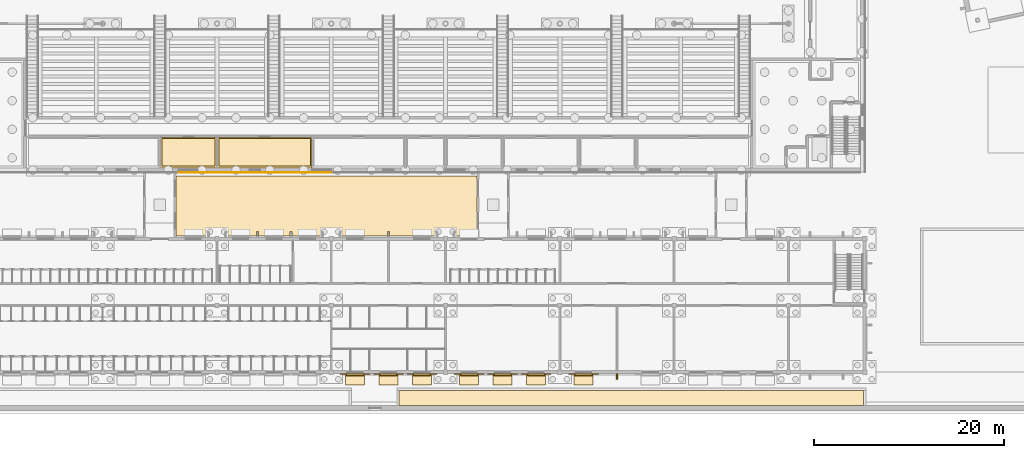
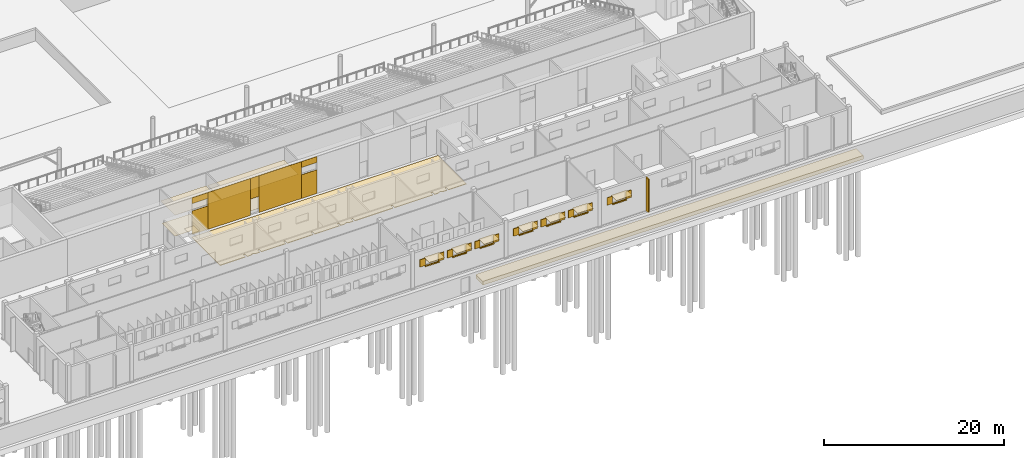
# One storey, part 130 of 157: 27 coverings, 15 shading devices.
"""IFC4 building model written with IfcOpenShell, lengths in metres."""

from ifc_helpers import new_model, si_unit, direction, frame, origin, place, context, subcontext, project, spatial, polyline, outline, extrude, material, layer, layer_set, type_object, element, save


model = new_model("IFC4")

# Units and contexts
model_context = context("Model", 3, precision=1e-05, world=origin(), true_north=direction((0.0, 1.0)))
body_context = subcontext(model_context, "Body", "Model", "MODEL_VIEW")
ifc_project = project(units=[si_unit("LENGTHUNIT", "METRE"), si_unit("AREAUNIT", "SQUARE_METRE"), si_unit("VOLUMEUNIT", "CUBIC_METRE"), si_unit("PLANEANGLEUNIT", "RADIAN"), si_unit("MASSUNIT", "GRAM", prefix="KILO")], contexts=[model_context])

# Site, building, storey
site_placement = place(None, origin())
site = spatial("IfcSite", under=ifc_project, at=site_placement, CompositionType="ELEMENT")
building_placement = place(site_placement, origin())
building = spatial("IfcBuilding", under=site, at=building_placement, Name="Windward Yard Aquatics Centre", CompositionType="ELEMENT")
storey_placement = place(building_placement, origin())
storey = spatial("IfcBuildingStorey", under=building, at=storey_placement, Name="L00", CompositionType="ELEMENT", Elevation=0.0)

# Shading devices
ifc_material_1 = material(Name="Aluminium louvre blades, powder coated", Category="aluminium")
ifc_layer_1 = layer(ifc_material_1, 0.080078125)
ifc_layer_set_1 = layer_set([ifc_layer_1], Name="C storm shutter louvred 700x1000")
shading_device_type_1 = type_object("IfcShadingDeviceType", Name="C storm shutter louvred 700x1000", PredefinedType="SHUTTER", material=ifc_layer_set_1)
shading_device_1_placement = place(storey_placement, frame((0.0, 0.0, 2.5)))
element("IfcShadingDevice", 1, at=shading_device_1_placement, inside=storey, type_object=shading_device_type_1, Name="Storm shutter CW0010L", PredefinedType="SHUTTER", context=body_context, shape_type="SweptSolid", body=[
    extrude(outline(polyline([(96.933349609375, 4.77001953125), (96.933349609375, 4.85009765625), (97.63330078125, 4.85009765625), (97.63330078125, 4.77001953125), (96.933349609375, 4.77001953125)])), origin(), (0.0, 0.0, 1.0), 1.0),
])
shading_device_2_placement = place(storey_placement, frame((0.0, 0.0, 2.5)))
element("IfcShadingDevice", 2, at=shading_device_2_placement, inside=storey, type_object=shading_device_type_1, Name="Storm shutter CW0010R", PredefinedType="SHUTTER", context=body_context, shape_type="SweptSolid", body=[
    extrude(outline(polyline([(99.333251953125, 4.77001953125), (99.333251953125, 4.85009765625), (100.033203125, 4.85009765625), (100.033203125, 4.77001953125), (99.333251953125, 4.77001953125)])), origin(), (0.0, 0.0, 1.0), 1.0),
])
shading_device_3_placement = place(storey_placement, frame((0.0, 0.0, 2.5)))
element("IfcShadingDevice", 3, at=shading_device_3_placement, inside=storey, type_object=shading_device_type_1, Name="Storm shutter CW0011L", PredefinedType="SHUTTER", context=body_context, shape_type="SweptSolid", body=[
    extrude(outline(polyline([(100.449951171875, 4.77001953125), (100.449951171875, 4.85009765625), (101.14990234375, 4.85009765625), (101.14990234375, 4.77001953125), (100.449951171875, 4.77001953125)])), origin(), (0.0, 0.0, 1.0), 1.0),
])
shading_device_4_placement = place(storey_placement, frame((0.0, 0.0, 2.5)))
element("IfcShadingDevice", 4, at=shading_device_4_placement, inside=storey, type_object=shading_device_type_1, Name="Storm shutter CW0011R", PredefinedType="SHUTTER", context=body_context, shape_type="SweptSolid", body=[
    extrude(outline(polyline([(102.85009765625, 4.77001953125), (102.85009765625, 4.85009765625), (103.550048828125, 4.85009765625), (103.550048828125, 4.77001953125), (102.85009765625, 4.77001953125)])), origin(), (0.0, 0.0, 1.0), 1.0),
])
shading_device_5_placement = place(storey_placement, frame((0.0, 0.0, 2.5)))
element("IfcShadingDevice", 5, at=shading_device_5_placement, inside=storey, type_object=shading_device_type_1, Name="Storm shutter CW0012L", PredefinedType="SHUTTER", context=body_context, shape_type="SweptSolid", body=[
    extrude(outline(polyline([(103.966796875, 4.77001953125), (103.966796875, 4.85009765625), (104.666748046875, 4.85009765625), (104.666748046875, 4.77001953125), (103.966796875, 4.77001953125)])), origin(), (0.0, 0.0, 1.0), 1.0),
])
shading_device_6_placement = place(storey_placement, frame((0.0, 0.0, 2.5)))
element("IfcShadingDevice", 6, at=shading_device_6_placement, inside=storey, type_object=shading_device_type_1, Name="Storm shutter CW0012R", PredefinedType="SHUTTER", context=body_context, shape_type="SweptSolid", body=[
    extrude(outline(polyline([(106.36669921875, 4.77001953125), (106.36669921875, 4.85009765625), (107.066650390625, 4.85009765625), (107.066650390625, 4.77001953125), (106.36669921875, 4.77001953125)])), origin(), (0.0, 0.0, 1.0), 1.0),
])
shading_device_7_placement = place(storey_placement, frame((0.0, 0.0, 2.5)))
element("IfcShadingDevice", 7, at=shading_device_7_placement, inside=storey, type_object=shading_device_type_1, Name="Storm shutter CW0013L", PredefinedType="SHUTTER", context=body_context, shape_type="SweptSolid", body=[
    extrude(outline(polyline([(108.933349609375, 4.77001953125), (108.933349609375, 4.85009765625), (109.63330078125, 4.85009765625), (109.63330078125, 4.77001953125), (108.933349609375, 4.77001953125)])), origin(), (0.0, 0.0, 1.0), 1.0),
])
shading_device_8_placement = place(storey_placement, frame((0.0, 0.0, 2.5)))
element("IfcShadingDevice", 8, at=shading_device_8_placement, inside=storey, type_object=shading_device_type_1, Name="Storm shutter CW0013R", PredefinedType="SHUTTER", context=body_context, shape_type="SweptSolid", body=[
    extrude(outline(polyline([(111.333251953125, 4.77001953125), (111.333251953125, 4.85009765625), (112.033203125, 4.85009765625), (112.033203125, 4.77001953125), (111.333251953125, 4.77001953125)])), origin(), (0.0, 0.0, 1.0), 1.0),
])
shading_device_9_placement = place(storey_placement, frame((0.0, 0.0, 2.5)))
element("IfcShadingDevice", 9, at=shading_device_9_placement, inside=storey, type_object=shading_device_type_1, Name="Storm shutter CW0014L", PredefinedType="SHUTTER", context=body_context, shape_type="SweptSolid", body=[
    extrude(outline(polyline([(112.449951171875, 4.77001953125), (112.449951171875, 4.85009765625), (113.14990234375, 4.85009765625), (113.14990234375, 4.77001953125), (112.449951171875, 4.77001953125)])), origin(), (0.0, 0.0, 1.0), 1.0),
])
shading_device_10_placement = place(storey_placement, frame((0.0, 0.0, 2.5)))
element("IfcShadingDevice", 10, at=shading_device_10_placement, inside=storey, type_object=shading_device_type_1, Name="Storm shutter CW0014R", PredefinedType="SHUTTER", context=body_context, shape_type="SweptSolid", body=[
    extrude(outline(polyline([(114.85009765625, 4.77001953125), (114.85009765625, 4.85009765625), (115.550048828125, 4.85009765625), (115.550048828125, 4.77001953125), (114.85009765625, 4.77001953125)])), origin(), (0.0, 0.0, 1.0), 1.0),
])
shading_device_11_placement = place(storey_placement, frame((0.0, 0.0, 2.5)))
element("IfcShadingDevice", 11, at=shading_device_11_placement, inside=storey, type_object=shading_device_type_1, Name="Storm shutter CW0015L", PredefinedType="SHUTTER", context=body_context, shape_type="SweptSolid", body=[
    extrude(outline(polyline([(115.966796875, 4.77001953125), (115.966796875, 4.85009765625), (116.666748046875, 4.85009765625), (116.666748046875, 4.77001953125), (115.966796875, 4.77001953125)])), origin(), (0.0, 0.0, 1.0), 1.0),
])
shading_device_12_placement = place(storey_placement, frame((0.0, 0.0, 2.5)))
element("IfcShadingDevice", 12, at=shading_device_12_placement, inside=storey, type_object=shading_device_type_1, Name="Storm shutter CW0015R", PredefinedType="SHUTTER", context=body_context, shape_type="SweptSolid", body=[
    extrude(outline(polyline([(118.36669921875, 4.77001953125), (118.36669921875, 4.85009765625), (119.066650390625, 4.85009765625), (119.066650390625, 4.77001953125), (118.36669921875, 4.77001953125)])), origin(), (0.0, 0.0, 1.0), 1.0),
])
shading_device_13_placement = place(storey_placement, frame((0.0, 0.0, 2.5)))
element("IfcShadingDevice", 13, at=shading_device_13_placement, inside=storey, type_object=shading_device_type_1, Name="Storm shutter CW0016L", PredefinedType="SHUTTER", context=body_context, shape_type="SweptSolid", body=[
    extrude(outline(polyline([(120.933349609375, 4.77001953125), (120.933349609375, 4.85009765625), (121.63330078125, 4.85009765625), (121.63330078125, 4.77001953125), (120.933349609375, 4.77001953125)])), origin(), (0.0, 0.0, 1.0), 1.0),
])
shading_device_14_placement = place(storey_placement, frame((0.0, 0.0, 2.5)))
element("IfcShadingDevice", 14, at=shading_device_14_placement, inside=storey, type_object=shading_device_type_1, Name="Storm shutter CW0016R", PredefinedType="SHUTTER", context=body_context, shape_type="SweptSolid", body=[
    extrude(outline(polyline([(123.333251953125, 4.77001953125), (123.333251953125, 4.85009765625), (124.033203125, 4.85009765625), (124.033203125, 4.77001953125), (123.333251953125, 4.77001953125)])), origin(), (0.0, 0.0, 1.0), 1.0),
])
ifc_material_2 = material(Name="Aluminium fin, powder coated", Category="aluminium")
shading_device_type_2 = type_object("IfcShadingDeviceType", Name="C vertical fin 150x600", PredefinedType="USERDEFINED", material=ifc_material_2)
shading_device_15_placement = place(storey_placement, origin())
element("IfcShadingDevice", 15, at=shading_device_15_placement, inside=storey, type_object=shading_device_type_2, Name="Vertical fin C.W.L00.S7.1.1", ObjectType="FIN", PredefinedType="USERDEFINED", context=body_context, shape_type="SweptSolid", body=[
    extrude(outline(polyline([(125.925048828125, 4.25), (125.925048828125, 4.85009765625), (126.074951171875, 4.85009765625), (126.074951171875, 4.25), (125.925048828125, 4.25)])), origin(), (0.0, 0.0, 1.0), 4.550048828125),
])

# Coverings
ifc_material_3 = material(Name="Aluminium composite hood, powder coated", Category="aluminium")
ifc_layer_2 = layer(ifc_material_3, 0.080078125)
ifc_layer_set_2 = layer_set([ifc_layer_2], Name="C window hood aluminium 2000x1200")
covering_type_1 = type_object("IfcCoveringType", Name="C window hood aluminium 2000x1200", PredefinedType="CLADDING", material=ifc_layer_set_2)
covering_1_placement = place(storey_placement, frame((0.0, 0.0, 3.550048828125)))
element("IfcCovering", 16, at=covering_1_placement, inside=storey, type_object=covering_type_1, Name="Window hood CW0010", PredefinedType="CLADDING", context=body_context, shape_type="SweptSolid", body=[
    extrude(outline(polyline([(97.4833984375, 3.64990234375), (97.4833984375, 4.85009765625), (99.4833984375, 4.85009765625), (99.4833984375, 3.64990234375), (97.4833984375, 3.64990234375)])), origin(), (0.0, 0.0, 1.0), 0.079833984375),
])
covering_2_placement = place(storey_placement, frame((0.0, 0.0, 3.550048828125)))
element("IfcCovering", 17, at=covering_2_placement, inside=storey, type_object=covering_type_1, Name="Window hood CW0011", PredefinedType="CLADDING", context=body_context, shape_type="SweptSolid", body=[
    extrude(outline(polyline([(101.0, 3.64990234375), (101.0, 4.85009765625), (103.0, 4.85009765625), (103.0, 3.64990234375), (101.0, 3.64990234375)])), origin(), (0.0, 0.0, 1.0), 0.079833984375),
])
covering_3_placement = place(storey_placement, frame((0.0, 0.0, 3.550048828125)))
element("IfcCovering", 18, at=covering_3_placement, inside=storey, type_object=covering_type_1, Name="Window hood CW0012", PredefinedType="CLADDING", context=body_context, shape_type="SweptSolid", body=[
    extrude(outline(polyline([(104.5166015625, 3.64990234375), (104.5166015625, 4.85009765625), (106.5166015625, 4.85009765625), (106.5166015625, 3.64990234375), (104.5166015625, 3.64990234375)])), origin(), (0.0, 0.0, 1.0), 0.079833984375),
])
covering_4_placement = place(storey_placement, frame((0.0, 0.0, 3.550048828125)))
element("IfcCovering", 19, at=covering_4_placement, inside=storey, type_object=covering_type_1, Name="Window hood CW0013", PredefinedType="CLADDING", context=body_context, shape_type="SweptSolid", body=[
    extrude(outline(polyline([(109.4833984375, 3.64990234375), (109.4833984375, 4.85009765625), (111.4833984375, 4.85009765625), (111.4833984375, 3.64990234375), (109.4833984375, 3.64990234375)])), origin(), (0.0, 0.0, 1.0), 0.079833984375),
])
covering_5_placement = place(storey_placement, frame((0.0, 0.0, 3.550048828125)))
element("IfcCovering", 20, at=covering_5_placement, inside=storey, type_object=covering_type_1, Name="Window hood CW0014", PredefinedType="CLADDING", context=body_context, shape_type="SweptSolid", body=[
    extrude(outline(polyline([(113.0, 3.64990234375), (113.0, 4.85009765625), (115.0, 4.85009765625), (115.0, 3.64990234375), (113.0, 3.64990234375)])), origin(), (0.0, 0.0, 1.0), 0.079833984375),
])
covering_6_placement = place(storey_placement, frame((0.0, 0.0, 3.550048828125)))
element("IfcCovering", 21, at=covering_6_placement, inside=storey, type_object=covering_type_1, Name="Window hood CW0015", PredefinedType="CLADDING", context=body_context, shape_type="SweptSolid", body=[
    extrude(outline(polyline([(116.5166015625, 3.64990234375), (116.5166015625, 4.85009765625), (118.5166015625, 4.85009765625), (118.5166015625, 3.64990234375), (116.5166015625, 3.64990234375)])), origin(), (0.0, 0.0, 1.0), 0.079833984375),
])
covering_7_placement = place(storey_placement, frame((0.0, 0.0, 3.550048828125)))
element("IfcCovering", 22, at=covering_7_placement, inside=storey, type_object=covering_type_1, Name="Window hood CW0016", PredefinedType="CLADDING", context=body_context, shape_type="SweptSolid", body=[
    extrude(outline(polyline([(121.4833984375, 3.64990234375), (121.4833984375, 4.85009765625), (123.4833984375, 4.85009765625), (123.4833984375, 3.64990234375), (121.4833984375, 3.64990234375)])), origin(), (0.0, 0.0, 1.0), 0.079833984375),
])
ifc_material_4 = material(Name="Limestone sill", Category="masonry")
ifc_layer_3 = layer(ifc_material_4, 0.080078125)
ifc_layer_set_3 = layer_set([ifc_layer_3], Name="C window sill stone 1800x200")
covering_type_2 = type_object("IfcCoveringType", Name="C window sill stone 1800x200", PredefinedType="CLADDING", material=ifc_layer_set_3)
covering_8_placement = place(storey_placement, frame((0.0, 0.0, 2.419921875)))
element("IfcCovering", 23, at=covering_8_placement, inside=storey, type_object=covering_type_2, Name="Window sill CW0010", PredefinedType="CLADDING", context=body_context, shape_type="SweptSolid", body=[
    extrude(outline(polyline([(97.583251953125, 4.64990234375), (97.583251953125, 4.85009765625), (99.38330078125, 4.85009765625), (99.38330078125, 4.64990234375), (97.583251953125, 4.64990234375)])), origin(), (0.0, 0.0, 1.0), 0.080078125),
])
covering_9_placement = place(storey_placement, frame((0.0, 0.0, 2.419921875)))
element("IfcCovering", 24, at=covering_9_placement, inside=storey, type_object=covering_type_2, Name="Window sill CW0011", PredefinedType="CLADDING", context=body_context, shape_type="SweptSolid", body=[
    extrude(outline(polyline([(101.10009765625, 4.64990234375), (101.10009765625, 4.85009765625), (102.89990234375, 4.85009765625), (102.89990234375, 4.64990234375), (101.10009765625, 4.64990234375)])), origin(), (0.0, 0.0, 1.0), 0.080078125),
])
covering_10_placement = place(storey_placement, frame((0.0, 0.0, 2.419921875)))
element("IfcCovering", 25, at=covering_10_placement, inside=storey, type_object=covering_type_2, Name="Window sill CW0012", PredefinedType="CLADDING", context=body_context, shape_type="SweptSolid", body=[
    extrude(outline(polyline([(104.61669921875, 4.64990234375), (104.61669921875, 4.85009765625), (106.416748046875, 4.85009765625), (106.416748046875, 4.64990234375), (104.61669921875, 4.64990234375)])), origin(), (0.0, 0.0, 1.0), 0.080078125),
])
covering_11_placement = place(storey_placement, frame((0.0, 0.0, 2.419921875)))
element("IfcCovering", 26, at=covering_11_placement, inside=storey, type_object=covering_type_2, Name="Window sill CW0013", PredefinedType="CLADDING", context=body_context, shape_type="SweptSolid", body=[
    extrude(outline(polyline([(109.583251953125, 4.64990234375), (109.583251953125, 4.85009765625), (111.38330078125, 4.85009765625), (111.38330078125, 4.64990234375), (109.583251953125, 4.64990234375)])), origin(), (0.0, 0.0, 1.0), 0.080078125),
])
covering_12_placement = place(storey_placement, frame((0.0, 0.0, 2.419921875)))
element("IfcCovering", 27, at=covering_12_placement, inside=storey, type_object=covering_type_2, Name="Window sill CW0014", PredefinedType="CLADDING", context=body_context, shape_type="SweptSolid", body=[
    extrude(outline(polyline([(113.10009765625, 4.64990234375), (113.10009765625, 4.85009765625), (114.89990234375, 4.85009765625), (114.89990234375, 4.64990234375), (113.10009765625, 4.64990234375)])), origin(), (0.0, 0.0, 1.0), 0.080078125),
])
covering_13_placement = place(storey_placement, frame((0.0, 0.0, 2.419921875)))
element("IfcCovering", 28, at=covering_13_placement, inside=storey, type_object=covering_type_2, Name="Window sill CW0015", PredefinedType="CLADDING", context=body_context, shape_type="SweptSolid", body=[
    extrude(outline(polyline([(116.61669921875, 4.64990234375), (116.61669921875, 4.85009765625), (118.416748046875, 4.85009765625), (118.416748046875, 4.64990234375), (116.61669921875, 4.64990234375)])), origin(), (0.0, 0.0, 1.0), 0.080078125),
])
covering_14_placement = place(storey_placement, frame((0.0, 0.0, 2.419921875)))
element("IfcCovering", 29, at=covering_14_placement, inside=storey, type_object=covering_type_2, Name="Window sill CW0016", PredefinedType="CLADDING", context=body_context, shape_type="SweptSolid", body=[
    extrude(outline(polyline([(121.583251953125, 4.64990234375), (121.583251953125, 4.85009765625), (123.38330078125, 4.85009765625), (123.38330078125, 4.64990234375), (121.583251953125, 4.64990234375)])), origin(), (0.0, 0.0, 1.0), 0.080078125),
])
ifc_material_5 = material(Name="Ceramic tile")
ifc_layer_4 = layer(ifc_material_5, 0.02001953125)
ifc_layer_set_4 = layer_set([ifc_layer_4], Name="H Floor Finish Tile 20")
covering_type_3 = type_object("IfcCoveringType", Name="H Floor Finish Tile 20", PredefinedType="FLOORING", material=ifc_layer_set_4)
covering_15_placement = place(storey_placement, origin())
element("IfcCovering", 30, at=covering_15_placement, inside=storey, type_object=covering_type_3, Name="Team Shower Room floor finish", PredefinedType="FLOORING", context=body_context, shape_type="SweptSolid", body=[
    extrude(outline(polyline([(78.199951171875, 26.64990234375), (78.199951171875, 29.52001953125), (83.800048828125, 29.52001953125), (83.800048828125, 26.64990234375), (78.199951171875, 26.64990234375)])), origin(), (0.0, 0.0, 1.0), 0.02001953125),
])
covering_16_placement = place(storey_placement, origin())
element("IfcCovering", 31, at=covering_16_placement, inside=storey, type_object=covering_type_3, Name="Pool Plant Room floor finish", PredefinedType="FLOORING", context=body_context, shape_type="SweptSolid", body=[
    extrude(outline(polyline([(84.199951171875, 26.64990234375), (84.199951171875, 29.52001953125), (93.800048828125, 29.52001953125), (93.800048828125, 26.64990234375), (84.199951171875, 26.64990234375)])), origin(), (0.0, 0.0, 1.0), 0.02001953125),
])
ifc_material_6 = material(Name="Aluminium plank", Category="aluminium")
ifc_layer_5 = layer(ifc_material_6, 0.02001953125)
ifc_layer_set_5 = layer_set([ifc_layer_5], Name="H Moisture Resistant Ceiling")
covering_type_4 = type_object("IfcCoveringType", Name="H Moisture Resistant Ceiling", PredefinedType="CEILING", material=ifc_layer_set_5)
covering_17_placement = place(storey_placement, frame((0.0, 0.0, 3.0)))
element("IfcCovering", 32, at=covering_17_placement, inside=storey, type_object=covering_type_4, Name="Team Shower Room ceiling", PredefinedType="CEILING", context=body_context, shape_type="SweptSolid", body=[
    extrude(outline(polyline([(78.075439453125, 26.450439453125), (78.075439453125, 29.64453125), (83.924560546875, 29.64453125), (83.924560546875, 26.450439453125), (78.075439453125, 26.450439453125)])), origin(), (0.0, 0.0, 1.0), 0.02001953125),
])
covering_18_placement = place(storey_placement, frame((0.0, 0.0, 3.0)))
element("IfcCovering", 33, at=covering_18_placement, inside=storey, type_object=covering_type_4, Name="Pool Plant Room ceiling", PredefinedType="CEILING", context=body_context, shape_type="SweptSolid", body=[
    extrude(outline(polyline([(84.075439453125, 26.450439453125), (84.075439453125, 29.64453125), (93.924560546875, 29.64453125), (93.924560546875, 26.450439453125), (84.075439453125, 26.450439453125)])), origin(), (0.0, 0.0, 1.0), 0.02001953125),
])
ifc_material_7 = material(Name="Natural limestone cladding", Category="masonry")
ifc_layer_6 = layer(ifc_material_7, 0.0400390625)
ifc_layer_set_6 = layer_set([ifc_layer_6], Name="H natural stone cladding 40")
covering_type_5 = type_object("IfcCoveringType", Name="H natural stone cladding 40", PredefinedType="CLADDING", material=ifc_layer_set_6)
covering_19_placement = place(storey_placement, origin())
element("IfcCovering", 34, at=covering_19_placement, inside=storey, type_object=covering_type_5, Name="Stone cladding panel 191", PredefinedType="CLADDING", context=body_context, shape_type="SweptSolid", body=[
    extrude(outline(polyline([(80.0, 25.9599609375), (80.0, 26.0), (82.0, 26.0), (82.0, 25.9599609375), (80.0, 25.9599609375)])), origin(), (0.0, 0.0, 1.0), 3.199951171875),
])
covering_20_placement = place(storey_placement, frame((0.0, 0.0, 4.199951171875)))
element("IfcCovering", 35, at=covering_20_placement, inside=storey, type_object=covering_type_5, Name="Stone cladding panel 192", PredefinedType="CLADDING", context=body_context, shape_type="SweptSolid", body=[
    extrude(outline(polyline([(80.0, 25.9599609375), (80.0, 26.0), (82.0, 26.0), (82.0, 25.9599609375), (80.0, 25.9599609375)])), origin(), (0.0, 0.0, 1.0), 0.800048828125),
])
covering_21_placement = place(storey_placement, origin())
element("IfcCovering", 36, at=covering_21_placement, inside=storey, type_object=covering_type_5, Name="Stone cladding panel 193", PredefinedType="CLADDING", context=body_context, shape_type="SweptSolid", body=[
    extrude(outline(polyline([(82.0, 25.9599609375), (82.0, 26.0), (87.449951171875, 26.0), (87.449951171875, 25.9599609375), (82.0, 25.9599609375)])), origin(), (0.0, 0.0, 1.0), 5.0),
])
covering_22_placement = place(storey_placement, frame((0.0, 0.0, 2.199951171875)))
element("IfcCovering", 37, at=covering_22_placement, inside=storey, type_object=covering_type_5, Name="Stone cladding panel 194", PredefinedType="CLADDING", context=body_context, shape_type="SweptSolid", body=[
    extrude(outline(polyline([(87.449951171875, 25.9599609375), (87.449951171875, 26.0), (88.550048828125, 26.0), (88.550048828125, 25.9599609375), (87.449951171875, 25.9599609375)])), origin(), (0.0, 0.0, 1.0), 2.800048828125),
])
covering_23_placement = place(storey_placement, origin())
element("IfcCovering", 38, at=covering_23_placement, inside=storey, type_object=covering_type_5, Name="Stone cladding panel 195", PredefinedType="CLADDING", context=body_context, shape_type="SweptSolid", body=[
    extrude(outline(polyline([(88.550048828125, 25.9599609375), (88.550048828125, 26.0), (94.0, 26.0), (94.0, 25.9599609375), (88.550048828125, 25.9599609375)])), origin(), (0.0, 0.0, 1.0), 5.0),
])
covering_24_placement = place(storey_placement, origin())
element("IfcCovering", 39, at=covering_24_placement, inside=storey, type_object=covering_type_5, Name="Stone cladding panel 196", PredefinedType="CLADDING", context=body_context, shape_type="SweptSolid", body=[
    extrude(outline(polyline([(94.0, 25.9599609375), (94.0, 26.0), (96.0, 26.0), (96.0, 25.9599609375), (94.0, 25.9599609375)])), origin(), (0.0, 0.0, 1.0), 3.199951171875),
])
covering_25_placement = place(storey_placement, frame((0.0, 0.0, 4.199951171875)))
element("IfcCovering", 40, at=covering_25_placement, inside=storey, type_object=covering_type_5, Name="Stone cladding panel 197", PredefinedType="CLADDING", context=body_context, shape_type="SweptSolid", body=[
    extrude(outline(polyline([(94.0, 25.9599609375), (94.0, 26.0), (96.0, 26.0), (96.0, 25.9599609375), (94.0, 25.9599609375)])), origin(), (0.0, 0.0, 1.0), 0.800048828125),
])
ifc_material_8 = material(Name="Concrete block paving C35/45", Category="concrete")
ifc_layer_7 = layer(ifc_material_8, 0.080078125)
ifc_layer_set_7 = layer_set([ifc_layer_7], Name="X Concrete Block Paving 80")
covering_type_6 = type_object("IfcCoveringType", Name="X Concrete Block Paving 80", PredefinedType="FLOORING", material=ifc_layer_set_7)
covering_26_placement = place(storey_placement, frame((0.0, 0.0, -0.080078125)))
element("IfcCovering", 41, at=covering_26_placement, inside=storey, type_object=covering_type_6, Name="Garden court paving 4", PredefinedType="FLOORING", context=body_context, shape_type="SweptSolid", body=[
    extrude(outline(polyline([(79.719970703125, 19.294921875), (83.000732421875, 19.294921875), (83.000732421875, 19.75), (83.002197265625, 19.7578125), (83.009765625, 19.7666015625), (83.018798828125, 19.77001953125), (83.1708984375, 19.77001953125), (83.1787109375, 19.7685546875), (83.18505859375, 19.76416015625), (83.189453125, 19.7578125), (83.19091796875, 19.75), (83.19091796875, 19.294921875), (83.701171875, 19.294921875), (83.73291015625, 19.323974609375), (83.765869140625, 19.3486328125), (83.80126953125, 19.369873046875), (83.83837890625, 19.3876953125), (83.877197265625, 19.401611328125), (83.9169921875, 19.41162109375), (83.959716796875, 19.41796875), (84.0009765625, 19.419921875), (84.0419921875, 19.41796875), (84.0830078125, 19.41162109375), (84.122802734375, 19.401611328125), (84.16162109375, 19.3876953125), (84.19873046875, 19.369873046875), (84.234130859375, 19.3486328125), (84.26708984375, 19.323974609375), (84.298828125, 19.294921875), (84.80908203125, 19.294921875), (84.80908203125, 19.75), (84.810546875, 19.7578125), (84.818115234375, 19.7666015625), (84.8271484375, 19.77001953125), (84.97900390625, 19.77001953125), (84.98681640625, 19.7685546875), (84.9931640625, 19.76416015625), (84.99755859375, 19.7578125), (84.9990234375, 19.75), (84.9990234375, 19.294921875), (88.146484375, 19.294921875), (88.146484375, 19.75), (88.148193359375, 19.7578125), (88.155517578125, 19.7666015625), (88.16455078125, 19.77001953125), (88.316650390625, 19.77001953125), (88.32421875, 19.7685546875), (88.330810546875, 19.76416015625), (88.335205078125, 19.7578125), (88.336669921875, 19.75), (88.336669921875, 19.294921875), (91.663330078125, 19.294921875), (91.663330078125, 19.75), (91.664794921875, 19.7578125), (91.672119140625, 19.7666015625), (91.681396484375, 19.77001953125), (91.833251953125, 19.77001953125), (91.841064453125, 19.7685546875), (91.847412109375, 19.76416015625), (91.851806640625, 19.7578125), (91.853271484375, 19.75), (91.853271484375, 19.294921875), (95.000732421875, 19.294921875), (95.000732421875, 19.75), (95.002197265625, 19.7578125), (95.009765625, 19.7666015625), (95.018798828125, 19.77001953125), (95.1708984375, 19.77001953125), (95.1787109375, 19.7685546875), (95.18505859375, 19.76416015625), (95.189453125, 19.7578125), (95.19091796875, 19.75), (95.19091796875, 19.294921875), (95.701171875, 19.294921875), (95.73291015625, 19.323974609375), (95.765869140625, 19.3486328125), (95.80126953125, 19.369873046875), (95.83837890625, 19.3876953125), (95.877197265625, 19.401611328125), (95.9169921875, 19.41162109375), (95.959716796875, 19.41796875), (96.0009765625, 19.419921875), (96.0419921875, 19.41796875), (96.0830078125, 19.41162109375), (96.122802734375, 19.401611328125), (96.16162109375, 19.3876953125), (96.19873046875, 19.369873046875), (96.234130859375, 19.3486328125), (96.26708984375, 19.323974609375), (96.298828125, 19.294921875), (96.80908203125, 19.294921875), (96.80908203125, 19.75), (96.810546875, 19.7578125), (96.818115234375, 19.7666015625), (96.8271484375, 19.77001953125), (96.97900390625, 19.77001953125), (96.98681640625, 19.7685546875), (96.9931640625, 19.76416015625), (96.99755859375, 19.7578125), (96.9990234375, 19.75), (96.9990234375, 19.294921875), (101.905029296875, 19.294921875), (101.905029296875, 19.75), (101.906494140625, 19.7578125), (101.913818359375, 19.7666015625), (101.923095703125, 19.77001953125), (102.074951171875, 19.77001953125), (102.082763671875, 19.7685546875), (102.089111328125, 19.76416015625), (102.093505859375, 19.7578125), (102.094970703125, 19.75), (102.094970703125, 19.294921875), (107.000732421875, 19.294921875), (107.000732421875, 19.75), (107.002197265625, 19.7578125), (107.009765625, 19.7666015625), (107.018798828125, 19.77001953125), (107.1708984375, 19.77001953125), (107.1787109375, 19.7685546875), (107.18505859375, 19.76416015625), (107.189453125, 19.7578125), (107.19091796875, 19.75), (107.19091796875, 19.294921875), (107.701171875, 19.294921875), (107.73291015625, 19.323974609375), (107.765869140625, 19.3486328125), (107.80126953125, 19.369873046875), (107.83837890625, 19.3876953125), (107.877197265625, 19.401611328125), (107.9169921875, 19.41162109375), (107.959716796875, 19.41796875), (108.0009765625, 19.419921875), (108.0419921875, 19.41796875), (108.0830078125, 19.41162109375), (108.122802734375, 19.401611328125), (108.16162109375, 19.3876953125), (108.19873046875, 19.369873046875), (108.234130859375, 19.3486328125), (108.26708984375, 19.323974609375), (108.298828125, 19.294921875), (108.80908203125, 19.294921875), (108.80908203125, 19.75), (108.810546875, 19.7578125), (108.818115234375, 19.7666015625), (108.8291015625, 19.77001953125), (108.981201171875, 19.77001953125), (108.990234375, 19.7666015625), (108.99560546875, 19.760986328125), (108.9990234375, 19.75), (108.9990234375, 19.294921875), (111.280029296875, 19.294921875), (111.280029296875, 25.60498046875), (79.719970703125, 25.60498046875), (79.719970703125, 19.294921875)])), origin(), (0.0, 0.0, 1.0), 0.080078125),
])
ifc_material_9 = material(Name="Planting soil")
ifc_layer_8 = layer(ifc_material_9, 0.448, Name="Planting")
ifc_material_10 = material(Name="Filter fabric")
ifc_layer_9 = layer(ifc_material_10, 0.002, Name="Filter")
ifc_material_11 = material(Name="Drainage board")
ifc_layer_10 = layer(ifc_material_11, 0.05, Name="Drainage")
ifc_layer_set_8 = layer_set([ifc_layer_8, ifc_layer_9, ifc_layer_10], Name="X Planting Bed Soil 400")
covering_type_7 = type_object("IfcCoveringType", Name="X Planting Bed Soil 400", PredefinedType="USERDEFINED", material=ifc_layer_set_8)
covering_27_placement = place(storey_placement, frame((0.0, 0.0, -0.10009765625)))
element("IfcCovering", 42, at=covering_27_placement, inside=storey, type_object=covering_type_7, Name="Rail side berm east", ObjectType="PLANTING BED", PredefinedType="USERDEFINED", context=body_context, shape_type="SweptSolid", body=[
    extrude(outline(polyline([(103.125, 1.5), (151.875, 1.5), (151.875, 3.074951171875), (103.125, 3.074951171875), (103.125, 1.5)])), origin(), (0.0, 0.0, 1.0), 0.5),
])

save(model, "model.ifc")
